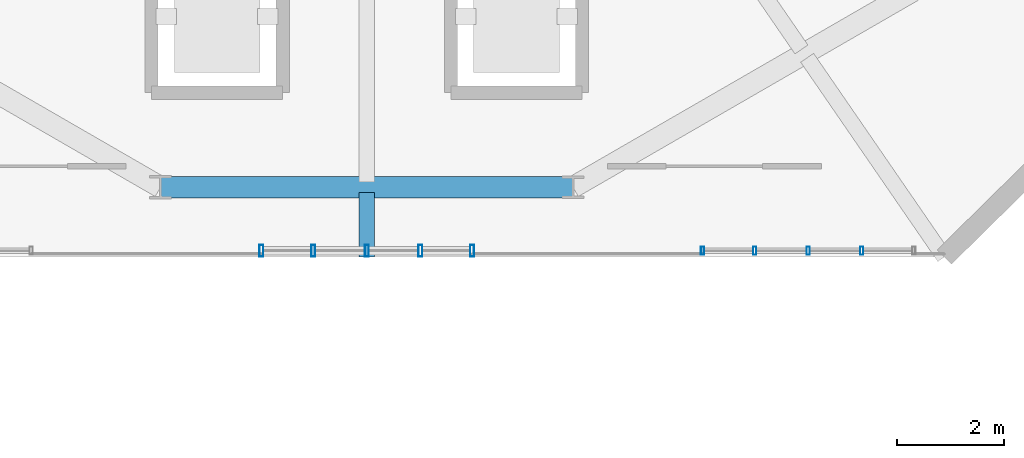
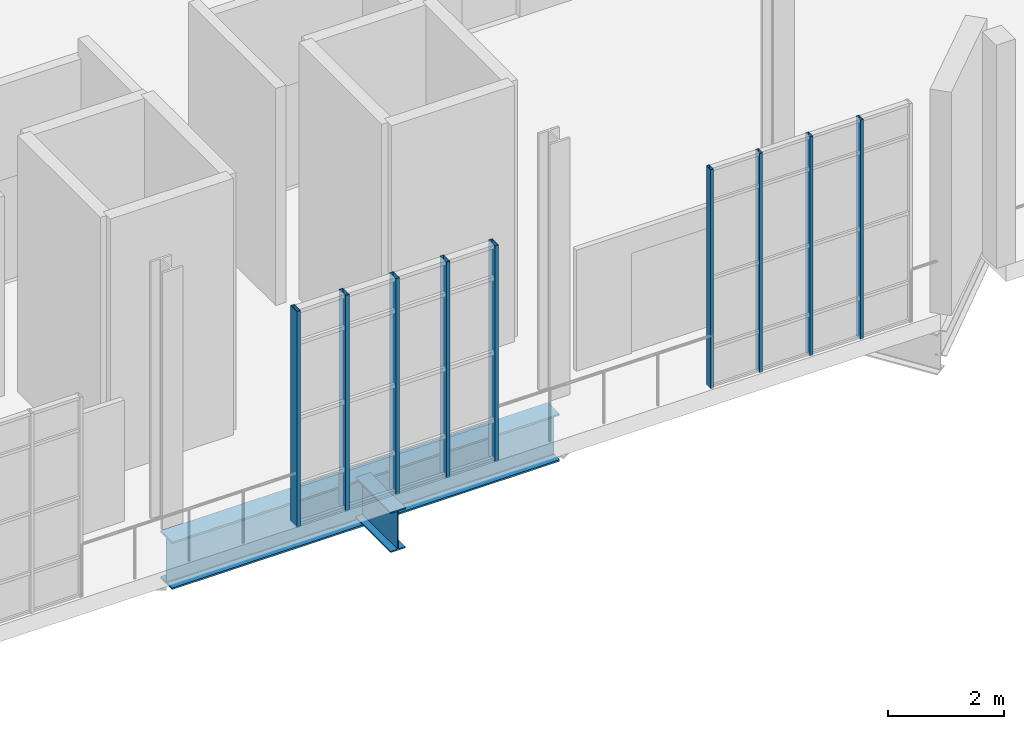
# One storey, part 44 of 189: 9 members, 2 beams, 2 elements without a shape of their own.
"""IFC4 building model written with IfcOpenShell, lengths in metres."""

from ifc_helpers import new_model, si_unit, direction, frame, origin, origin_2d, place, context, subcontext, project, spatial, hollow_rectangle, i_section, extrude, material, layer, layer_set, material_profile, profile_set, type_object, element, aggregate, save


model = new_model("IFC4")

# Units and contexts
model_context = context("Model", 3, precision=1e-05, world=origin(), true_north=direction((0.0, 1.0)))
body_context = subcontext(model_context, "Body", "Model", "MODEL_VIEW")
ifc_project = project(units=[si_unit("LENGTHUNIT", "METRE"), si_unit("AREAUNIT", "SQUARE_METRE"), si_unit("VOLUMEUNIT", "CUBIC_METRE"), si_unit("PLANEANGLEUNIT", "RADIAN"), si_unit("MASSUNIT", "GRAM", prefix="KILO"), si_unit("THERMODYNAMICTEMPERATUREUNIT", "KELVIN"), si_unit("POWERUNIT", "WATT")], contexts=[model_context])

# Site, building, storey
site_placement = place(None, origin())
site = spatial("IfcSite", under=ifc_project, at=site_placement, CompositionType="ELEMENT")
building_placement = place(site_placement, origin())
building = spatial("IfcBuilding", under=site, at=building_placement, Name="Zelmaris Science Centre", CompositionType="ELEMENT")
storey_placement = place(building_placement, origin())
storey = spatial("IfcBuildingStorey", under=building, at=storey_placement, Name="L00", CompositionType="ELEMENT", Elevation=0.0)

# Curtain wall, members
ifc_material_1 = material(Name="Anodised architectural aluminium 6063-T6", Category="aluminium")
ifc_layer_1 = layer(ifc_material_1, 0.219970703125, Name="Anodised architectural aluminium 6063-T6")
ifc_layer_set_1 = layer_set([ifc_layer_1], Name="Anodised architectural aluminium 6063-T6")
curtain_wall_type_1 = type_object("IfcCurtainWallType", Name="Curtain Wall CW-04", PredefinedType="USERDEFINED", material=ifc_layer_set_1)
curtain_wall_1_placement = place(storey_placement, origin())
curtain_wall_1 = element("IfcCurtainWall", 1, at=curtain_wall_1_placement, inside=storey, type_object=curtain_wall_type_1, Name="L00 Unitised curtain wall 116", ObjectType="GLAZED CURTAIN WALL", PredefinedType="USERDEFINED")
ifc_material_profile_1 = material_profile(ifc_material_1, hollow_rectangle(XDim=0.06005859375, YDim=0.14990234375, WallThickness=0.00341796875, at=origin_2d()), Name="ALU-MUL-60X150")
ifc_profile_set_1 = profile_set([ifc_material_profile_1], Name="Anodised architectural aluminium 6063-T6")
member_type_1 = type_object("IfcMemberType", Name="ALU-MUL-60X150", PredefinedType="MULLION", material=ifc_profile_set_1)
member_1_placement = place(storey_placement, frame((90.258056640625, 20.420166015625, -0.014892578125), z_axis=(0.0, 0.0, 1.0), x_axis=(-0.999999999994, -3.490659e-06, 0.0)))
member_1 = element("IfcMember", 2, at=member_1_placement, type_object=member_type_1, Name="CW-04 mullion 2", PredefinedType="MULLION", context=body_context, shape_type="SweptSolid", body=[
    extrude(hollow_rectangle(XDim=0.06005859375, YDim=0.14990234375, WallThickness=0.00341796875, at=origin_2d()), origin(), (0.0, 0.0, 1.0), 4.614990234375),
])
member_2_placement = place(storey_placement, frame((89.256103515625, 20.420166015625, -0.014892578125), z_axis=(0.0, 0.0, 1.0), x_axis=(-0.999999999994, -3.490659e-06, 0.0)))
member_2 = element("IfcMember", 3, at=member_2_placement, type_object=member_type_1, Name="CW-04 mullion 3", PredefinedType="MULLION", context=body_context, shape_type="SweptSolid", body=[
    extrude(hollow_rectangle(XDim=0.06005859375, YDim=0.14990234375, WallThickness=0.00341796875, at=origin_2d()), origin(), (0.0, 0.0, 1.0), 4.614990234375),
])
member_3_placement = place(storey_placement, frame((88.254150390625, 20.420166015625, -0.014892578125), z_axis=(0.0, 0.0, 1.0), x_axis=(-0.999999999994, -3.490659e-06, 0.0)))
member_3 = element("IfcMember", 4, at=member_3_placement, type_object=member_type_1, Name="CW-04 mullion 4", PredefinedType="MULLION", context=body_context, shape_type="SweptSolid", body=[
    extrude(hollow_rectangle(XDim=0.06005859375, YDim=0.14990234375, WallThickness=0.00341796875, at=origin_2d()), origin(), (0.0, 0.0, 1.0), 4.614990234375),
])
member_4_placement = place(storey_placement, frame((87.2783203125, 20.420166015625, -0.014892578125), z_axis=(0.0, 0.0, 1.0), x_axis=(-0.999999999994, -3.490659e-06, 0.0)))
member_4 = element("IfcMember", 5, at=member_4_placement, type_object=member_type_1, Name="CW-04 mullion 5", PredefinedType="MULLION", context=body_context, shape_type="SweptSolid", body=[
    extrude(hollow_rectangle(XDim=0.06005859375, YDim=0.14990234375, WallThickness=0.00341796875, at=origin_2d()), origin(), (0.0, 0.0, 1.0), 4.614990234375),
])
aggregate(curtain_wall_1, [member_1, member_2, member_3, member_4])

ifc_layer_2 = layer(ifc_material_1, 0.199951171875, Name="Anodised architectural aluminium 6063-T6")
ifc_layer_set_2 = layer_set([ifc_layer_2], Name="Anodised architectural aluminium 6063-T6")
curtain_wall_type_2 = type_object("IfcCurtainWallType", Name="Curtain Wall CW-02", PredefinedType="USERDEFINED", material=ifc_layer_set_2)
curtain_wall_2_placement = place(storey_placement, origin())
curtain_wall_2 = element("IfcCurtainWall", 6, at=curtain_wall_2_placement, inside=storey, type_object=curtain_wall_type_2, Name="L00 Unitised curtain wall 118", ObjectType="GLAZED CURTAIN WALL", PredefinedType="USERDEFINED")
ifc_material_profile_2 = material_profile(ifc_material_1, hollow_rectangle(XDim=0.074951171875, YDim=0.219970703125, WallThickness=0.0048828125, at=origin_2d()), Name="ALU-MUL-75X220")
ifc_profile_set_2 = profile_set([ifc_material_profile_2], Name="Anodised architectural aluminium 6063-T6")
member_type_2 = type_object("IfcMemberType", Name="ALU-MUL-75X220", PredefinedType="MULLION", material=ifc_profile_set_2)
member_5_placement = place(storey_placement, frame((82.97119140625, 20.419921875, -0.014892578125), z_axis=(0.0, 0.0, 1.0), x_axis=(-0.999999999994, -3.490659e-06, 0.0)))
member_5 = element("IfcMember", 7, at=member_5_placement, type_object=member_type_2, Name="CW-02 mullion 1", PredefinedType="MULLION", context=body_context, shape_type="SweptSolid", body=[
    extrude(hollow_rectangle(XDim=0.074951171875, YDim=0.219970703125, WallThickness=0.0048828125, at=origin_2d()), origin(), (0.0, 0.0, 1.0), 4.5419921875),
])
member_6_placement = place(storey_placement, frame((82.002685546875, 20.419921875, -0.014892578125), z_axis=(0.0, 0.0, 1.0), x_axis=(-0.999999999994, -3.490659e-06, 0.0)))
member_6 = element("IfcMember", 8, at=member_6_placement, type_object=member_type_2, Name="CW-02 mullion 2", PredefinedType="MULLION", context=body_context, shape_type="SweptSolid", body=[
    extrude(hollow_rectangle(XDim=0.074951171875, YDim=0.219970703125, WallThickness=0.0048828125, at=origin_2d()), origin(), (0.0, 0.0, 1.0), 4.5419921875),
])
member_7_placement = place(storey_placement, frame((81.000732421875, 20.419921875, -0.014892578125), z_axis=(0.0, 0.0, 1.0), x_axis=(-0.999999999994, -3.490659e-06, 0.0)))
member_7 = element("IfcMember", 9, at=member_7_placement, type_object=member_type_2, Name="CW-02 mullion 3", PredefinedType="MULLION", context=body_context, shape_type="SweptSolid", body=[
    extrude(hollow_rectangle(XDim=0.074951171875, YDim=0.219970703125, WallThickness=0.0048828125, at=origin_2d()), origin(), (0.0, 0.0, 1.0), 4.5419921875),
])
member_8_placement = place(storey_placement, frame((79.998779296875, 20.419921875, -0.014892578125), z_axis=(0.0, 0.0, 1.0), x_axis=(-0.999999999994, -3.490659e-06, 0.0)))
member_8 = element("IfcMember", 10, at=member_8_placement, type_object=member_type_2, Name="CW-02 mullion 4", PredefinedType="MULLION", context=body_context, shape_type="SweptSolid", body=[
    extrude(hollow_rectangle(XDim=0.074951171875, YDim=0.219970703125, WallThickness=0.0048828125, at=origin_2d()), origin(), (0.0, 0.0, 1.0), 4.5419921875),
])
member_9_placement = place(storey_placement, frame((79.030517578125, 20.419921875, -0.014892578125), z_axis=(0.0, 0.0, 1.0), x_axis=(-0.999999999994, -3.490659e-06, 0.0)))
member_9 = element("IfcMember", 11, at=member_9_placement, type_object=member_type_2, Name="CW-02 mullion 5", PredefinedType="MULLION", context=body_context, shape_type="SweptSolid", body=[
    extrude(hollow_rectangle(XDim=0.074951171875, YDim=0.219970703125, WallThickness=0.0048828125, at=origin_2d()), origin(), (0.0, 0.0, 1.0), 4.5419921875),
])
aggregate(curtain_wall_2, [member_5, member_6, member_7, member_8, member_9])

# Beams
ifc_material_2 = material(Name="Steel ASTM A992 Grade 50", Category="steel")
ifc_material_profile_3 = material_profile(ifc_material_2, i_section(OverallWidth=0.294921875, OverallDepth=0.85107421875, WebThickness=0.01611328125, FlangeThickness=0.02685546875, FilletRadius=0.02001953125, at=origin_2d()), Name="W33X152")
ifc_profile_set_3 = profile_set([ifc_material_profile_3], Name="Steel ASTM A992 Grade 50")
beam_type_1 = type_object("IfcBeamType", Name="Beam G-06 W33X152", PredefinedType="BEAM", material=ifc_profile_set_3)
beam_1_placement = place(storey_placement, frame((81.0, 21.5126953125, -0.765380859375), z_axis=(0.0, -1.0, 0.0), x_axis=(1.0, 0.0, 0.0)))
element("IfcBeam", 12, at=beam_1_placement, inside=storey, type_object=beam_type_1, Name="L00 Radial overhang girder 2", PredefinedType="BEAM", context=body_context, shape_type="SweptSolid", body=[
    extrude(i_section(OverallWidth=0.294921875, OverallDepth=0.85107421875, WebThickness=0.01611328125, FlangeThickness=0.02685546875, FilletRadius=0.02001953125, at=origin_2d()), origin(), (0.0, 0.0, 1.0), 1.212646484375),
])
ifc_material_profile_4 = material_profile(ifc_material_2, i_section(OverallWidth=0.40087890625, OverallDepth=1.0009765625, WebThickness=0.01904296875, FlangeThickness=0.0361328125, FilletRadius=0.02490234375, at=origin_2d()), Name="W40X249")
ifc_profile_set_4 = profile_set([ifc_material_profile_4], Name="Steel ASTM A992 Grade 50")
beam_type_2 = type_object("IfcBeamType", Name="Beam G-22 W40X249", PredefinedType="BEAM", material=ifc_profile_set_4)
beam_2_placement = place(storey_placement, frame((77.1435546875, 21.607666015625, -0.840576171875), z_axis=(1.0, 0.0, 0.0), x_axis=(0.0, 1.0, 0.0)))
element("IfcBeam", 13, at=beam_2_placement, inside=storey, type_object=beam_type_2, Name="L00 Exhibition inner ring girder 9", PredefinedType="BEAM", context=body_context, shape_type="SweptSolid", body=[
    extrude(i_section(OverallWidth=0.40087890625, OverallDepth=1.0009765625, WebThickness=0.01904296875, FlangeThickness=0.0361328125, FilletRadius=0.02490234375, at=origin_2d()), origin(), (0.0, 0.0, 1.0), 7.712890625),
])

save(model, "model.ifc")
